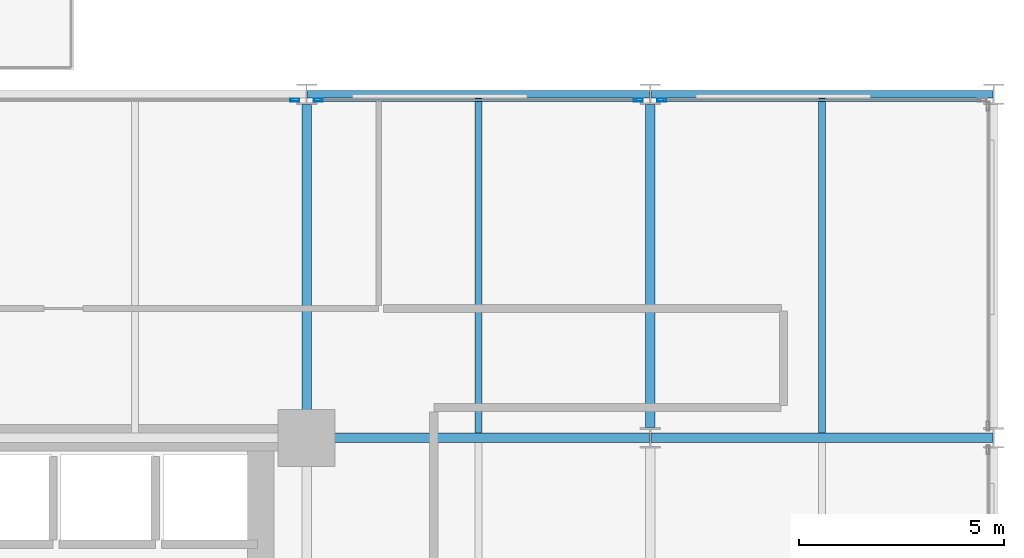
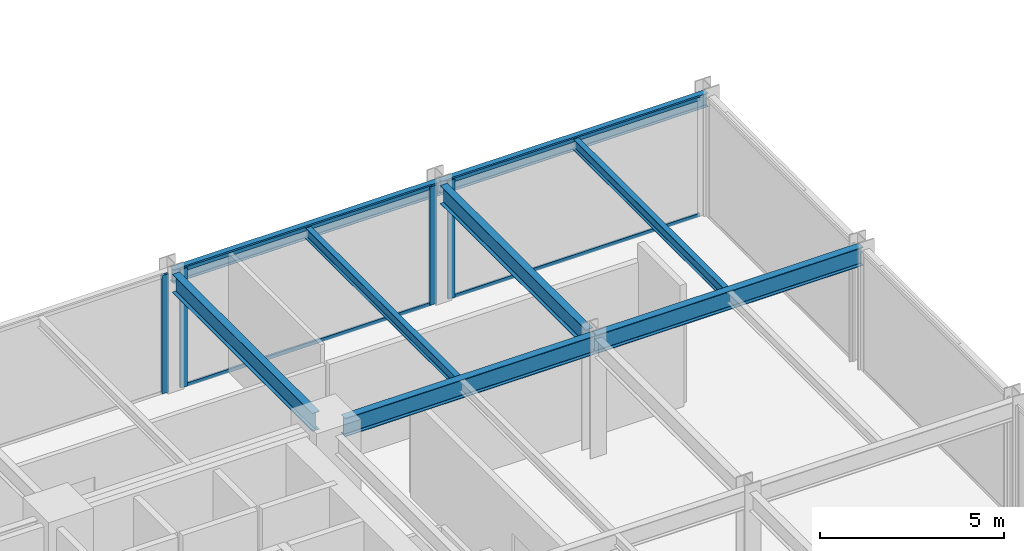
# One storey, part 12 of 24: 8 beams, 8 members, 3 elements without a shape of their own.
"""IFC4 building model written with IfcOpenShell, lengths in metres."""

from ifc_helpers import new_model, si_unit, direction, frame, origin, origin_2d, place, context, subcontext, project, spatial, hollow_rectangle, i_section, extrude, material, layer, layer_set, material_profile, profile_set, type_object, element, aggregate, save


model = new_model("IFC4")

# Units and contexts
model_context = context("Model", 3, precision=1e-05, world=origin(), true_north=direction((0.0, 1.0)))
body_context = subcontext(model_context, "Body", "Model", "MODEL_VIEW")
ifc_project = project(units=[si_unit("LENGTHUNIT", "METRE"), si_unit("AREAUNIT", "SQUARE_METRE"), si_unit("VOLUMEUNIT", "CUBIC_METRE"), si_unit("PLANEANGLEUNIT", "RADIAN"), si_unit("MASSUNIT", "GRAM", prefix="KILO")], contexts=[model_context])

# Site, building, storey
site_placement = place(None, origin())
site = spatial("IfcSite", under=ifc_project, at=site_placement, CompositionType="ELEMENT")
building_placement = place(site_placement, origin())
building = spatial("IfcBuilding", under=site, at=building_placement, Name="Nerrivon Quay Data Exchange", CompositionType="ELEMENT")
storey_placement = place(building_placement, frame((0.0, 0.0, 33.199951171875)))
storey = spatial("IfcBuildingStorey", under=building, at=storey_placement, Name="L07", CompositionType="ELEMENT", Elevation=33.199951171875)

# Beams
ifc_material_1 = material(Name="Steel Grade 350", Category="steel")
ifc_material_profile_1 = material_profile(ifc_material_1, i_section(OverallWidth=0.22900390625, OverallDepth=0.612060546875, WebThickness=0.011962890625, FlangeThickness=0.01953125, FilletRadius=0.013916015625, at=origin_2d()), Name="610UB125")
ifc_profile_set_1 = profile_set([ifc_material_profile_1], Name="Steel Grade 350")
beam_type_1 = type_object("IfcBeamType", Name="BM-G1-610UB125", PredefinedType="BEAM", material=ifc_profile_set_1)
beam_1_placement = place(storey_placement, frame((34.139892578125, 16.800048828125, 3.619140625), z_axis=(1.0, 0.0, 0.0), x_axis=(0.0, 1.0, 0.0)))
element("IfcBeam", 1, at=beam_1_placement, inside=storey, type_object=beam_type_1, Name="L07 EW Girder Y=16.8 (33.6..42.0)", PredefinedType="BEAM", context=body_context, shape_type="SweptSolid", body=[
    extrude(i_section(OverallWidth=0.22900390625, OverallDepth=0.612060546875, WebThickness=0.011962890625, FlangeThickness=0.01953125, FilletRadius=0.013916015625, at=origin_2d()), origin(), (0.0, 0.0, 1.0), 7.84619140625),
])
beam_2_placement = place(storey_placement, frame((42.013916015625, 16.800048828125, 3.619140625), z_axis=(1.0, 0.0, 0.0), x_axis=(0.0, 1.0, 0.0)))
element("IfcBeam", 2, at=beam_2_placement, inside=storey, type_object=beam_type_1, Name="L07 EW Girder Y=16.8 (42.0..50.4)", PredefinedType="BEAM", context=body_context, shape_type="SweptSolid", body=[
    extrude(i_section(OverallWidth=0.22900390625, OverallDepth=0.612060546875, WebThickness=0.011962890625, FlangeThickness=0.01953125, FilletRadius=0.013916015625, at=origin_2d()), origin(), (0.0, 0.0, 1.0), 8.3720703125),
])
ifc_material_profile_2 = material_profile(ifc_material_1, i_section(OverallWidth=0.22802734375, OverallDepth=0.60205078125, WebThickness=0.010498046875, FlangeThickness=0.014892578125, FilletRadius=0.013916015625, at=origin_2d()), Name="610UB101")
ifc_profile_set_2 = profile_set([ifc_material_profile_2], Name="Steel Grade 350")
beam_type_2 = type_object("IfcBeamType", Name="BM-G2-610UB101", PredefinedType="BEAM", material=ifc_profile_set_2)
beam_3_placement = place(storey_placement, frame((33.60009765625, 17.340087890625, 3.6240234375), z_axis=(0.0, 1.0, 0.0), x_axis=(-1.0, 0.0, 0.0)))
element("IfcBeam", 3, at=beam_3_placement, inside=storey, type_object=beam_type_2, Name="L07 NS Girder X=33.6 (16.8..25.2)", PredefinedType="BEAM", context=body_context, shape_type="SweptSolid", body=[
    extrude(i_section(OverallWidth=0.22802734375, OverallDepth=0.60205078125, WebThickness=0.010498046875, FlangeThickness=0.014892578125, FilletRadius=0.013916015625, at=origin_2d()), origin(), (0.0, 0.0, 1.0), 7.60986328125),
])
beam_4_placement = place(storey_placement, frame((42.0, 17.050048828125, 3.6240234375), z_axis=(0.0, 1.0, 0.0), x_axis=(-1.0, 0.0, 0.0)))
element("IfcBeam", 4, at=beam_4_placement, inside=storey, type_object=beam_type_2, Name="L07 NS Girder X=42.0 (16.8..25.2)", PredefinedType="BEAM", context=body_context, shape_type="SweptSolid", body=[
    extrude(i_section(OverallWidth=0.22802734375, OverallDepth=0.60205078125, WebThickness=0.010498046875, FlangeThickness=0.014892578125, FilletRadius=0.013916015625, at=origin_2d()), origin(), (0.0, 0.0, 1.0), 7.89990234375),
])
ifc_material_profile_3 = material_profile(ifc_material_1, i_section(OverallWidth=0.172119140625, OverallDepth=0.35888671875, WebThickness=0.008056640625, FlangeThickness=0.012939453125, FilletRadius=0.011474609375, at=origin_2d()), Name="360UB56.7")
ifc_profile_set_3 = profile_set([ifc_material_profile_3], Name="Steel Grade 350")
beam_type_3 = type_object("IfcBeamType", Name="BM-J3-360UB57", PredefinedType="JOIST", material=ifc_profile_set_3)
for number, where, z_axis, x_axis, name in (
    (5, (37.800048828125, 16.91455078125, 3.74560546875), (0.0, 1.0, 0.0), (-1.0, 0.0, 0.0), "L07 Secondary Joist X=37.8 (16.8..25.2)"),
    (6, (46.199951171875, 16.91455078125, 3.74560546875), (0.0, 1.0, 0.0), (-1.0, 0.0, 0.0), "L07 Secondary Joist X=46.2 (16.8..25.2)"),
):
    element("IfcBeam", number, at=place(storey_placement, frame(where, z_axis=z_axis, x_axis=x_axis)), inside=storey, type_object=beam_type_3, Name=name, PredefinedType="JOIST", context=body_context, shape_type="SweptSolid", body=[
        extrude(i_section(OverallWidth=0.172119140625, OverallDepth=0.35888671875, WebThickness=0.008056640625, FlangeThickness=0.012939453125, FilletRadius=0.011474609375, at=origin_2d()), origin(), (0.0, 0.0, 1.0), 8.1904296875),
    ])
ifc_material_profile_4 = material_profile(ifc_material_1, i_section(OverallWidth=0.18994140625, OverallDepth=0.4541015625, WebThickness=0.008544921875, FlangeThickness=0.0126953125, FilletRadius=0.011474609375, at=origin_2d()), Name="460UB67.1")
ifc_profile_set_4 = profile_set([ifc_material_profile_4], Name="Steel Grade 350")
beam_type_4 = type_object("IfcBeamType", Name="BM-SP1-460UB67", PredefinedType="SPANDREL", material=ifc_profile_set_4)
for number, where, z_axis, x_axis, name in (
    (7, (33.614013671875, 25.199951171875, 3.697998046875), (1.0, 0.0, 0.0), (0.0, 1.0, 0.0), "L07 EW Girder Y=25.2 (33.6..42.0)"),
    (8, (42.013916015625, 25.199951171875, 3.697998046875), (1.0, 0.0, 0.0), (0.0, 1.0, 0.0), "L07 EW Girder Y=25.2 (42.0..50.4)"),
):
    element("IfcBeam", number, at=place(storey_placement, frame(where, z_axis=z_axis, x_axis=x_axis)), inside=storey, type_object=beam_type_4, Name=name, PredefinedType="SPANDREL", context=body_context, shape_type="SweptSolid", body=[
        extrude(i_section(OverallWidth=0.18994140625, OverallDepth=0.4541015625, WebThickness=0.008544921875, FlangeThickness=0.0126953125, FilletRadius=0.011474609375, at=origin_2d()), origin(), (0.0, 0.0, 1.0), 8.3720703125),
    ])

# Curtain wall, member
ifc_material_2 = material(Name="Anodised aluminium 6063-T6", Category="aluminium")
ifc_layer = layer(ifc_material_2, 0.219970703125)
ifc_layer_set = layer_set([ifc_layer], Name="Anodised aluminium 6063-T6")
curtain_wall_type = type_object("IfcCurtainWallType", Name="CW-SYS-01", PredefinedType="NOTDEFINED", material=ifc_layer_set)
curtain_wall_1_placement = place(storey_placement, origin())
curtain_wall_1 = element("IfcCurtainWall", 9, at=curtain_wall_1_placement, inside=storey, type_object=curtain_wall_type, Name="L07 Unitised Curtain Wall 28", PredefinedType="NOTDEFINED")
ifc_material_profile_5 = material_profile(ifc_material_2, hollow_rectangle(XDim=0.074951171875, YDim=0.219970703125, WallThickness=0.00390625, at=origin_2d()), Name="ALU-MULL-220x75")
ifc_profile_set_5 = profile_set([ifc_material_profile_5], Name="Anodised aluminium 6063-T6")
member_type_1 = type_object("IfcMemberType", Name="CWM-220x75", PredefinedType="MULLION", material=ifc_profile_set_5)
member_1_placement = place(storey_placement, frame((33.3125, 25.06005859375, 0.0), z_axis=(0.0, 0.0, 1.0), x_axis=(0.0, 1.0, 0.0)))
member_1 = element("IfcMember", 10, at=member_1_placement, type_object=member_type_1, Name="CW01 mullion 2", PredefinedType="MULLION", context=body_context, shape_type="SweptSolid", body=[
    extrude(hollow_rectangle(XDim=0.074951171875, YDim=0.219970703125, WallThickness=0.00390625, at=origin_2d()), origin(), (0.0, 0.0, 1.0), 3.925048828125),
])
aggregate(curtain_wall_1, [member_1])

# Curtain wall, members
curtain_wall_2_placement = place(storey_placement, origin())
curtain_wall_2 = element("IfcCurtainWall", 11, at=curtain_wall_2_placement, inside=storey, type_object=curtain_wall_type, Name="L07 Unitised Curtain Wall 29", PredefinedType="NOTDEFINED")
member_2_placement = place(storey_placement, frame((33.887451171875, 25.06005859375, 0.0), z_axis=(0.0, 0.0, 1.0), x_axis=(0.0, 1.0, 0.0)))
member_2 = element("IfcMember", 12, at=member_2_placement, type_object=member_type_1, Name="CW01 mullion 1", PredefinedType="MULLION", context=body_context, shape_type="SweptSolid", body=[
    extrude(hollow_rectangle(XDim=0.074951171875, YDim=0.219970703125, WallThickness=0.00390625, at=origin_2d()), origin(), (0.0, 0.0, 1.0), 3.925048828125),
])
member_3_placement = place(storey_placement, frame((41.71240234375, 25.06005859375, 0.0), z_axis=(0.0, 0.0, 1.0), x_axis=(0.0, 1.0, 0.0)))
member_3 = element("IfcMember", 13, at=member_3_placement, type_object=member_type_1, Name="CW01 mullion 2", PredefinedType="MULLION", context=body_context, shape_type="SweptSolid", body=[
    extrude(hollow_rectangle(XDim=0.074951171875, YDim=0.219970703125, WallThickness=0.00390625, at=origin_2d()), origin(), (0.0, 0.0, 1.0), 3.925048828125),
])

# Curtain wall, member
curtain_wall_3_placement = place(storey_placement, origin())
curtain_wall_3 = element("IfcCurtainWall", 14, at=curtain_wall_3_placement, inside=storey, type_object=curtain_wall_type, Name="L07 Unitised Curtain Wall 30", PredefinedType="NOTDEFINED")
member_4_placement = place(storey_placement, frame((42.28759765625, 25.06005859375, 0.0), z_axis=(0.0, 0.0, 1.0), x_axis=(0.0, 1.0, 0.0)))
member_4 = element("IfcMember", 15, at=member_4_placement, type_object=member_type_1, Name="CW01 mullion 1", PredefinedType="MULLION", context=body_context, shape_type="SweptSolid", body=[
    extrude(hollow_rectangle(XDim=0.074951171875, YDim=0.219970703125, WallThickness=0.00390625, at=origin_2d()), origin(), (0.0, 0.0, 1.0), 3.925048828125),
])

# Member
ifc_material_profile_6 = material_profile(ifc_material_2, hollow_rectangle(XDim=0.06005859375, YDim=0.1201171875, WallThickness=0.003173828125, at=origin_2d()), Name="ALU-TRAN-120x60")
ifc_profile_set_6 = profile_set([ifc_material_profile_6], Name="Anodised aluminium 6063-T6")
member_type_2 = type_object("IfcMemberType", Name="CWT-120x60", PredefinedType="USERDEFINED", material=ifc_profile_set_6)
member_5_placement = place(storey_placement, frame((33.925048828125, 25.06005859375, 0.032470703125), z_axis=(1.0, 0.0, 0.0), x_axis=(0.0, 1.0, 0.0)))
member_5 = element("IfcMember", 16, at=member_5_placement, type_object=member_type_2, Name="CW01 transom 1.1", ObjectType="TRANSOM", PredefinedType="USERDEFINED", context=body_context, shape_type="SweptSolid", body=[
    extrude(hollow_rectangle(XDim=0.06005859375, YDim=0.1201171875, WallThickness=0.003173828125, at=origin_2d()), origin(), (0.0, 0.0, 1.0), 7.75),
])

member_6_placement = place(storey_placement, frame((33.925048828125, 25.06005859375, 3.892578125), z_axis=(1.0, 0.0, 0.0), x_axis=(0.0, 1.0, 0.0)))
member_6 = element("IfcMember", 17, at=member_6_placement, type_object=member_type_2, Name="CW01 transom 1.2", ObjectType="TRANSOM", PredefinedType="USERDEFINED", context=body_context, shape_type="SweptSolid", body=[
    extrude(hollow_rectangle(XDim=0.06005859375, YDim=0.1201171875, WallThickness=0.003173828125, at=origin_2d()), origin(), (0.0, 0.0, 1.0), 7.75),
])

aggregate(curtain_wall_2, [member_2, member_3, member_5, member_6])

member_7_placement = place(storey_placement, frame((42.324951171875, 25.06005859375, 0.032470703125), z_axis=(1.0, 0.0, 0.0), x_axis=(0.0, 1.0, 0.0)))
member_7 = element("IfcMember", 18, at=member_7_placement, type_object=member_type_2, Name="CW01 transom 1.1", ObjectType="TRANSOM", PredefinedType="USERDEFINED", context=body_context, shape_type="SweptSolid", body=[
    extrude(hollow_rectangle(XDim=0.06005859375, YDim=0.1201171875, WallThickness=0.003173828125, at=origin_2d()), origin(), (0.0, 0.0, 1.0), 7.75),
])

member_8_placement = place(storey_placement, frame((42.324951171875, 25.06005859375, 3.892578125), z_axis=(1.0, 0.0, 0.0), x_axis=(0.0, 1.0, 0.0)))
member_8 = element("IfcMember", 19, at=member_8_placement, type_object=member_type_2, Name="CW01 transom 1.2", ObjectType="TRANSOM", PredefinedType="USERDEFINED", context=body_context, shape_type="SweptSolid", body=[
    extrude(hollow_rectangle(XDim=0.06005859375, YDim=0.1201171875, WallThickness=0.003173828125, at=origin_2d()), origin(), (0.0, 0.0, 1.0), 7.75),
])

aggregate(curtain_wall_3, [member_4, member_7, member_8])

save(model, "model.ifc")
